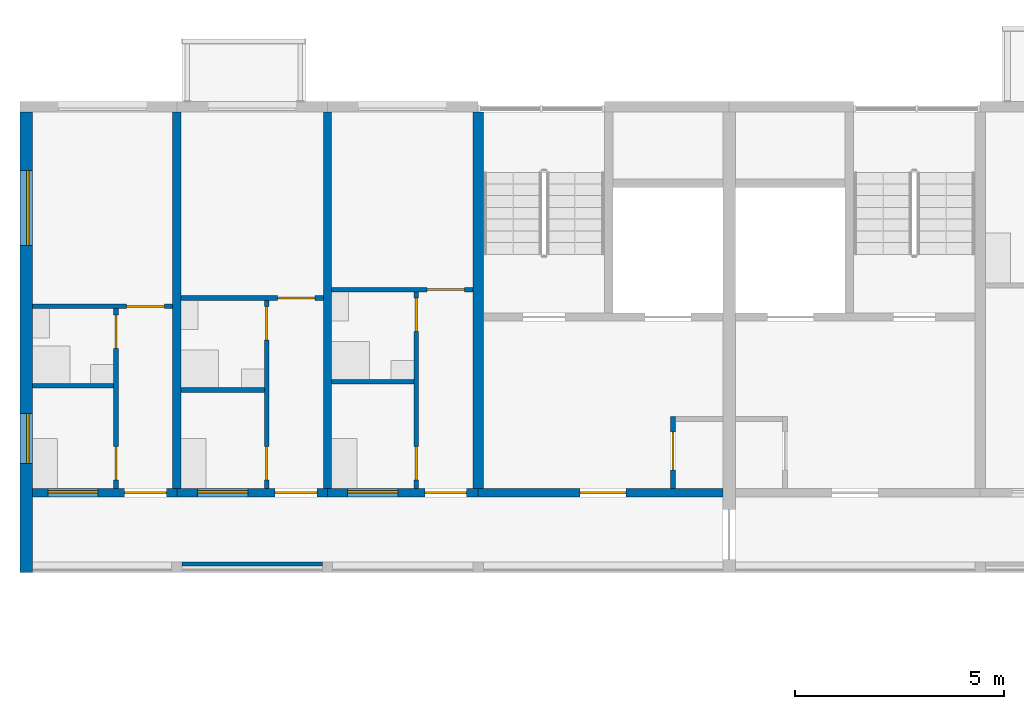
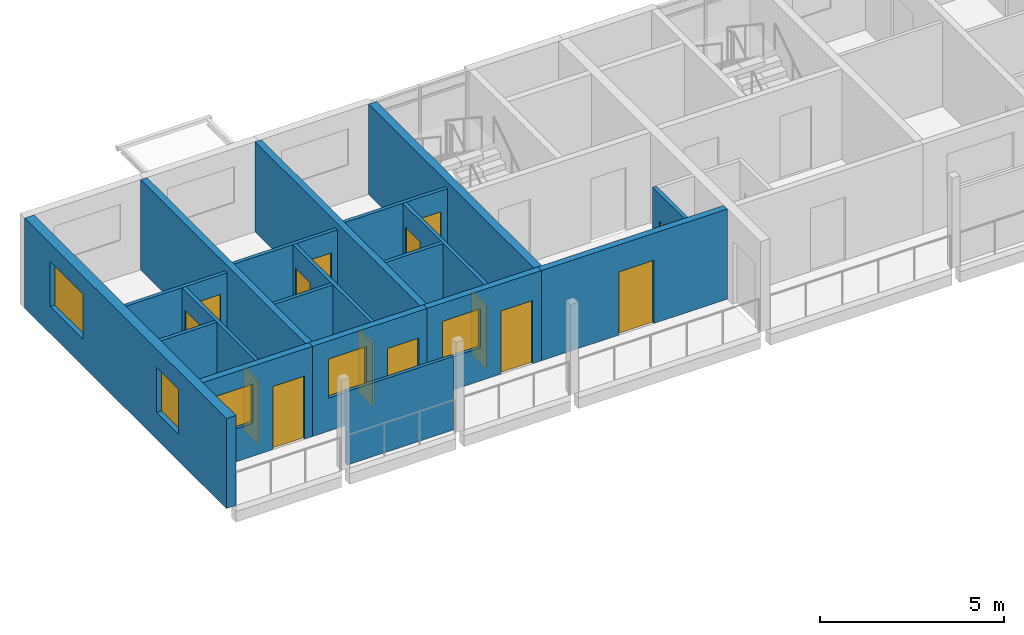
# One storey, part 33 of 99: 19 walls, 14 doors, 5 windows, 19 openings.
"""IFC4 building model written with IfcOpenShell, lengths in metres."""

import ifcopenshell
import ifcopenshell.guid

model = None  # the IFC model being written
_history = None  # IfcOwnerHistory: only IFC2X3 demands one
_inside = {}  # id of a spatial element -> (the spatial element, [elements in it])
_under = {}  # id of a project, library or spatial element -> (it, [spatial elements below it])
_declared = {}  # id of a project -> (the project, [libraries it declares])
_typed = {}  # id of a type object -> (the type object, [elements of that type])
_made_of = {}  # id of a material, layer set ... -> (it, [elements and type objects made of it])


def new_model(schema):
    """Start an empty IFC model of exactly this schema.

    Asked for "IFC4X3", IfcOpenShell would pick the latest addendum, in which some entities
    have other attributes; the version numbers below select the first issue.
    IFC2X3 requires an IfcOwnerHistory on every rooted entity: one is made here for all.
    """
    global model, _history
    if schema == "IFC4X3":
        model = ifcopenshell.file(schema_version=(4, 3, 0, 0))
    else:
        model = ifcopenshell.file(schema=schema)
    _inside.clear()
    _under.clear()
    _declared.clear()
    _typed.clear()
    _made_of.clear()
    _history = None
    if model.schema == "IFC2X3":
        org = make("IfcOrganization", Name="unknown")
        user = make(
            "IfcPersonAndOrganization",
            ThePerson=make("IfcPerson", FamilyName="unknown"),
            TheOrganization=org,
        )
        app = make(
            "IfcApplication",
            ApplicationDeveloper=org,
            Version="unknown",
            ApplicationFullName="unknown",
            ApplicationIdentifier="unknown",
        )
        _history = make(
            "IfcOwnerHistory",
            OwningUser=user,
            OwningApplication=app,
            ChangeAction="ADDED",
            CreationDate=0,
        )
    return model


def make(cls, **values):
    """One entity of the class cls with the attributes given. An attribute that is None is left unset."""
    return model.create_entity(
        cls, **{name: value for name, value in values.items() if value is not None}
    )


def rooted(cls, **values):
    """An entity with a GlobalId (a new one), such as an element, a storey or a relation."""
    return make(cls, GlobalId=ifcopenshell.guid.new(), OwnerHistory=_history, **values)


def si_unit(unit_type, name, prefix=None):
    """IfcSIUnit, for example si_unit("LENGTHUNIT", "METRE", prefix="MILLI")."""
    return make("IfcSIUnit", UnitType=unit_type, Prefix=prefix, Name=name)


def assignment(units):
    """IfcUnitAssignment: the units of a project."""
    return None if units is None else make("IfcUnitAssignment", Units=units)


def point(xyz):
    """IfcCartesianPoint."""
    return None if xyz is None else make("IfcCartesianPoint", Coordinates=xyz)


def direction(xyz):
    """IfcDirection."""
    return None if xyz is None else make("IfcDirection", DirectionRatios=xyz)


def frame(location, z_axis=None, x_axis=None):
    """IfcAxis2Placement3D, a coordinate frame: its origin and axes. An axis left out is left unset."""
    return make(
        "IfcAxis2Placement3D",
        Location=point(location),
        Axis=direction(z_axis),
        RefDirection=direction(x_axis),
    )


def frame_2d(location, x_axis=None):
    """IfcAxis2Placement2D, a coordinate frame in the plane: its origin and x axis."""
    return make(
        "IfcAxis2Placement2D", Location=point(location), RefDirection=direction(x_axis)
    )


def origin():
    """The frame at (0, 0, 0) with its axes left unset."""
    return frame((0.0, 0.0, 0.0))


def place(relative_to, where):
    """IfcLocalPlacement: puts the frame where relative to a parent placement (None: the world)."""
    return make(
        "IfcLocalPlacement", PlacementRelTo=relative_to, RelativePlacement=where
    )


def context(
    kind, dimensions, precision=None, world=None, true_north=None, identifier=None
):
    """IfcGeometricRepresentationContext, for example the 3D "Model" context."""
    return make(
        "IfcGeometricRepresentationContext",
        ContextIdentifier=identifier,
        ContextType=kind,
        CoordinateSpaceDimension=dimensions,
        Precision=precision,
        WorldCoordinateSystem=world,
        TrueNorth=true_north,
    )


def subcontext(parent, identifier, kind, view, scale=None):
    """IfcGeometricRepresentationSubContext, for example "Body" below "Model"."""
    return make(
        "IfcGeometricRepresentationSubContext",
        ContextIdentifier=identifier,
        ContextType=kind,
        ParentContext=parent,
        TargetScale=scale,
        TargetView=view,
    )


def project(units=None, contexts=None):
    """IfcProject with its units and contexts."""
    return rooted(
        "IfcProject",
        Name="project",
        RepresentationContexts=contexts,
        UnitsInContext=assignment(units),
    )


def spatial(cls, under=None, at=None, **own):
    """A site, building, storey or space (cls), placed at a placement, below another one or the project."""
    s = rooted(cls, ObjectPlacement=at, **own)
    if under is not None:
        _under.setdefault(under.id(), (under, []))[1].append(s)
    return s


def profile(cls, at=None, kind="AREA", **sizes):
    """A parametric profile (cls). Its sizes go by their IFC names, for example OverallWidth=200.0."""
    return make(cls, ProfileType=kind, Position=at, **sizes)


def rectangle(**sizes):
    """IfcRectangleProfileDef."""
    return profile("IfcRectangleProfileDef", **sizes)


def extrude(swept, where, along, depth):
    """IfcExtrudedAreaSolid: the profile swept, set in the frame where, extruded along a direction by depth."""
    return make(
        "IfcExtrudedAreaSolid",
        SweptArea=swept,
        Position=where,
        ExtrudedDirection=direction(along),
        Depth=depth,
    )


def shape(context_of_items, identifier, shape_type, items):
    """IfcShapeRepresentation: the items that make up one representation, for example the "Body"."""
    return make(
        "IfcShapeRepresentation",
        ContextOfItems=context_of_items,
        RepresentationIdentifier=identifier,
        RepresentationType=shape_type,
        Items=items,
    )


def material(Name=None, Category=None):
    """IfcMaterial."""
    return make("IfcMaterial", Name=Name, Category=Category)


def layer(
    of_material, thickness, ventilated=None, Name=None, Category=None, Priority=None
):
    """IfcMaterialLayer: one layer of a wall or slab, of a material (None: an air gap)."""
    return make(
        "IfcMaterialLayer",
        Material=of_material,
        LayerThickness=thickness,
        IsVentilated=ventilated,
        Name=Name,
        Category=Category,
        Priority=Priority,
    )


def layer_set(layers, Name=None):
    """IfcMaterialLayerSet."""
    return make("IfcMaterialLayerSet", MaterialLayers=layers, LayerSetName=Name)


def made_of(thing, what):
    """Note that an element or type object is made of a material, layer set ...; save() writes the relation."""
    if what is not None:
        _made_of.setdefault(what.id(), (what, []))[1].append(thing)
    return thing


def type_object(cls, material=None, **own):
    """A type object (cls), such as IfcWallType, which elements share."""
    return made_of(rooted(cls, **own), material)


def element(
    cls,
    number,
    at=None,
    inside=None,
    cuts=None,
    type_object=None,
    material=None,
    context=None,
    identifier="Body",
    shape_type=None,
    held_by="IfcProductDefinitionShape",
    body=None,
    shapes=None,
    **own,
):
    """One element of the class cls, such as IfcWall. Its Tag is "e" and its number.

    at: its placement. inside: the storey or other place that contains it. cuts: it is an
    opening in that element (IfcRelVoidsElement). A single representation is given by context,
    identifier, shape_type and body (its items); several are given by shapes. held_by: the class
    of the entity that holds the representations. save() writes the other relations.
    """
    e = rooted(cls, Tag="e%d" % number, ObjectPlacement=at, **own)
    if body is not None:
        shapes = [shape(context, identifier, shape_type, body)]
    if shapes is not None:
        e.Representation = make(held_by, Representations=shapes)
    if inside is not None:
        _inside.setdefault(inside.id(), (inside, []))[1].append(e)
    if cuts is not None:
        rooted(
            "IfcRelVoidsElement", RelatingBuildingElement=cuts, RelatedOpeningElement=e
        )
    if type_object is not None:
        _typed.setdefault(type_object.id(), (type_object, []))[1].append(e)
    return made_of(e, material)


def fill(opening, filler):
    """IfcRelFillsElement: the door or window that sits in an opening."""
    return rooted(
        "IfcRelFillsElement",
        RelatingOpeningElement=opening,
        RelatedBuildingElement=filler,
    )


def aggregate(whole, parts):
    """IfcRelAggregates: a whole, such as a stair, and the parts it consists of."""
    return rooted("IfcRelAggregates", RelatingObject=whole, RelatedObjects=parts)


def save(model, path):
    """Write the relations noted so far, then the file.

    IfcRelAggregates (storeys below a building ...), IfcRelContainedInSpatialStructure (elements
    in a storey), IfcRelDefinesByType, IfcRelAssociatesMaterial and IfcRelDeclares: one each for
    every whole, place, type object, material and project.
    """
    for whole, parts in _under.values():
        aggregate(whole, parts)
    for where, things in _inside.values():
        rooted(
            "IfcRelContainedInSpatialStructure",
            RelatedElements=things,
            RelatingStructure=where,
        )
    for kind, things in _typed.values():
        rooted("IfcRelDefinesByType", RelatedObjects=things, RelatingType=kind)
    for what, things in _made_of.values():
        rooted("IfcRelAssociatesMaterial", RelatedObjects=things, RelatingMaterial=what)
    for by, libraries in _declared.values():
        rooted("IfcRelDeclares", RelatingContext=by, RelatedDefinitions=libraries)
    model.write(path)


model = new_model("IFC4")

# Units and contexts
model_context = context("Model", 3, precision=1e-05, world=origin(), true_north=direction((0.0, 1.0)))
body_context = subcontext(model_context, "Body", "Model", "MODEL_VIEW")
ifc_project = project(units=[si_unit("LENGTHUNIT", "METRE"), si_unit("AREAUNIT", "SQUARE_METRE"), si_unit("VOLUMEUNIT", "CUBIC_METRE"), si_unit("PLANEANGLEUNIT", "RADIAN"), si_unit("MASSUNIT", "GRAM", prefix="KILO")], contexts=[model_context])

# Site, building, storey
site_placement = place(None, origin())
site = spatial("IfcSite", under=ifc_project, at=site_placement, CompositionType="ELEMENT")
building_placement = place(site_placement, origin())
building = spatial("IfcBuilding", under=site, at=building_placement, Name="Ridgestep Commons", CompositionType="ELEMENT")
storey_placement = place(building_placement, frame((0.0, 0.0, 15.0)))
storey = spatial("IfcBuildingStorey", under=building, at=storey_placement, Name="L05", CompositionType="ELEMENT", Elevation=15.0)

# Wall
ifc_material_1 = material(Name="Concrete C30/37", Category="concrete")
ifc_layer_1 = layer(ifc_material_1, 0.25)
ifc_layer_set_1 = layer_set([ifc_layer_1], Name="Core cross wall 250")
wall_type_1 = type_object("IfcWallType", Name="Core cross wall 250", PredefinedType="SHEAR", material=ifc_layer_set_1)
wall_1_placement = place(storey_placement, frame((22.800048828125, 68.0, 0.0), z_axis=(0.0, 0.0, 1.0), x_axis=(0.0, 1.0, 0.0)))
element("IfcWall", 1, at=wall_1_placement, inside=storey, type_object=wall_type_1, Name="Cross wall B-05-0228", PredefinedType="SHEAR", context=body_context, shape_type="SweptSolid", body=[
    extrude(rectangle(XDim=9.0, YDim=0.25, at=frame_2d((4.5, 0.0))), origin(), (0.0, 0.0, 1.0), 3.0),
])

# Wall, opening, door
ifc_material_2 = material(Name="Concrete C30/37", Category="concrete")
ifc_layer_2 = layer(ifc_material_2, 0.199951171875)
ifc_layer_set_2 = layer_set([ifc_layer_2], Name="Core south wall 200")
wall_type_2 = type_object("IfcWallType", Name="Core south wall 200", PredefinedType="SHEAR", material=ifc_layer_set_2)
wall_2_placement = place(storey_placement, frame((22.800048828125, 67.89990234375, 0.0), z_axis=(0.0, 0.0, 1.0), x_axis=(1.0, 0.0, 0.0)))
wall_2 = element("IfcWall", 2, at=wall_2_placement, inside=storey, type_object=wall_type_2, Name="Core south wall B1C L05", PredefinedType="SHEAR", context=body_context, shape_type="SweptSolid", body=[
    extrude(rectangle(XDim=5.849853515625, YDim=0.199951171875, at=frame_2d((2.9248046875, 0.0))), origin(), (0.0, 0.0, 1.0), 3.0),
])
opening_1_placement = place(wall_2_placement, frame((2.4375, 0.0, 0.0)))
opening_1 = element("IfcOpeningElement", 3, at=opening_1_placement, cuts=wall_2, Name="Opening B1C/05/1", PredefinedType="OPENING", context=body_context, shape_type="SweptSolid", body=[
    extrude(rectangle(XDim=1.10009765625, YDim=2.10009765625, at=frame_2d((0.550048828125, 1.050048828125))), frame((0.0, 0.10986328125, 0.0), z_axis=(0.0, -1.0, 0.0), x_axis=(1.0, 0.0, 0.0)), (0.0, 0.0, 1.0), 0.219970703125),
])
ifc_material_3 = material(Name="Steel fire door", Category="steel")
door_type_1 = type_object("IfcDoorType", Name="Lobby door 1100 x 2100 FD60", OperationType="NOTDEFINED", PredefinedType="DOOR", material=ifc_material_3)
door_1_placement = place(opening_1_placement, origin())
door_1 = element("IfcDoor", 4, at=door_1_placement, inside=storey, type_object=door_type_1, Name="Lobby door B1C/05/1", OperationType="SINGLE_SWING_LEFT", OverallHeight=2.10009765625, OverallWidth=1.10009765625, PredefinedType="DOOR", context=body_context, shape_type="SweptSolid", body=[
    extrude(rectangle(XDim=1.10009765625, YDim=2.10009765625, at=frame_2d((0.550048828125, 1.050048828125))), frame((0.0, 0.02490234375, 0.0), z_axis=(0.0, -1.0, 0.0), x_axis=(1.0, 0.0, 0.0)), (0.0, 0.0, 1.0), 0.050048828125),
])
fill(opening_1, door_1)

ifc_material_4 = material(Name="Concrete C30/37", Category="concrete")
ifc_layer_3 = layer(ifc_material_4, 0.1201171875)
ifc_layer_set_3 = layer_set([ifc_layer_3], Name="Core wall 120")
wall_type_3 = type_object("IfcWallType", Name="Core wall 120", PredefinedType="SHEAR", material=ifc_layer_set_3)
wall_3_placement = place(storey_placement, frame((27.4599609375, 68.0, 0.0), z_axis=(0.0, 0.0, 1.0), x_axis=(0.0, 1.0, 0.0)))
wall_3 = element("IfcWall", 5, at=wall_3_placement, inside=storey, type_object=wall_type_3, Name="Core riser w wall B1C L05", PredefinedType="SHEAR", context=body_context, shape_type="SweptSolid", body=[
    extrude(rectangle(XDim=1.719970703125, YDim=0.1201171875, at=frame_2d((0.85986328125, 0.0))), origin(), (0.0, 0.0, 1.0), 3.0),
])
opening_2_placement = place(wall_3_placement, frame((0.449951171875, 0.0, 0.0)))
opening_2 = element("IfcOpeningElement", 6, at=opening_2_placement, cuts=wall_3, Name="Opening B1C/05/4", PredefinedType="OPENING", context=body_context, shape_type="SweptSolid", body=[
    extrude(rectangle(XDim=0.89990234375, YDim=2.10009765625, at=frame_2d((0.449951171875, 1.050048828125))), frame((0.0, 0.070068359375, 0.0), z_axis=(0.0, -1.0, 0.0), x_axis=(1.0, 0.0, 0.0)), (0.0, 0.0, 1.0), 0.14013671875),
])
ifc_material_5 = material(Name="Steel fire door", Category="steel")
door_type_2 = type_object("IfcDoorType", Name="Riser door 900 x 2100 FD60", OperationType="NOTDEFINED", PredefinedType="DOOR", material=ifc_material_5)
door_2_placement = place(opening_2_placement, origin())
door_2 = element("IfcDoor", 7, at=door_2_placement, inside=storey, type_object=door_type_2, Name="Riser door B1C/05/4", OperationType="SINGLE_SWING_LEFT", OverallHeight=2.10009765625, OverallWidth=0.89990234375, PredefinedType="DOOR", context=body_context, shape_type="SweptSolid", body=[
    extrude(rectangle(XDim=0.89990234375, YDim=2.10009765625, at=frame_2d((0.449951171875, 1.050048828125))), frame((0.0, 0.02490234375, 0.0), z_axis=(0.0, -1.0, 0.0), x_axis=(1.0, 0.0, 0.0)), (0.0, 0.0, 1.0), 0.050048828125),
])
fill(opening_2, door_2)

# Walls
ifc_material_6 = material(Name="Precast concrete C40/50", Category="concrete")
ifc_layer_4 = layer(ifc_material_6, 0.199951171875)
ifc_layer_set_4 = layer_set([ifc_layer_4], Name="Cross wall 200")
wall_type_4 = type_object("IfcWallType", Name="Cross wall 200", PredefinedType="SHEAR", material=ifc_layer_set_4)
for number, where, z_axis, x_axis, name in (
    (8, (15.60009765625, 68.0, 0.0), (0.0, 0.0, 1.0), (0.0, 1.0, 0.0), "Cross wall B-05-0156"),
    (9, (19.199951171875, 68.0, 0.0), (0.0, 0.0, 1.0), (0.0, 1.0, 0.0), "Cross wall B-05-0192"),
):
    element("IfcWall", number, at=place(storey_placement, frame(where, z_axis=z_axis, x_axis=x_axis)), inside=storey, type_object=wall_type_4, Name=name, PredefinedType="SHEAR", context=body_context, shape_type="SweptSolid", body=[
        extrude(rectangle(XDim=9.0, YDim=0.199951171875, at=frame_2d((4.5, 0.0))), origin(), (0.0, 0.0, 1.0), 3.0),
    ])

# Wall, openings, windows
ifc_material_7 = material(Name="Precast concrete C40/50", Category="concrete")
ifc_layer_5 = layer(ifc_material_7, 0.300048828125)
ifc_layer_set_5 = layer_set([ifc_layer_5], Name="Exposed division wall 300")
wall_type_5 = type_object("IfcWallType", Name="Exposed division wall 300", PredefinedType="SHEAR", material=ifc_layer_set_5)
wall_4_placement = place(storey_placement, frame((12.0, 66.0, 0.0), z_axis=(0.0, 0.0, 1.0), x_axis=(0.0, 1.0, 0.0)))
wall_4 = element("IfcWall", 10, at=wall_4_placement, inside=storey, type_object=wall_type_5, Name="Cross wall B-05-0120", PredefinedType="SHEAR", context=body_context, shape_type="SweptSolid", body=[
    extrude(rectangle(XDim=11.0, YDim=0.300048828125, at=frame_2d((5.5, 0.0))), origin(), (0.0, 0.0, 1.0), 3.0),
])
opening_3_placement = place(wall_4_placement, frame((2.60009765625, 0.0, 0.89990234375)))
opening_3 = element("IfcOpeningElement", 11, at=opening_3_placement, cuts=wall_4, Name="Opening W10", PredefinedType="OPENING", context=body_context, shape_type="SweptSolid", body=[
    extrude(rectangle(XDim=1.199951171875, YDim=1.5, at=frame_2d((0.60009765625, 0.75))), frame((0.0, 0.159912109375, 0.0), z_axis=(0.0, -1.0, 0.0), x_axis=(1.0, 0.0, 0.0)), (0.0, 0.0, 1.0), 0.320068359375),
])
opening_4_placement = place(wall_4_placement, frame((7.804931640625, 0.0, 0.89990234375)))
opening_4 = element("IfcOpeningElement", 12, at=opening_4_placement, cuts=wall_4, Name="Opening W20", PredefinedType="OPENING", context=body_context, shape_type="SweptSolid", body=[
    extrude(rectangle(XDim=1.800048828125, YDim=1.5, at=frame_2d((0.89990234375, 0.75))), frame((0.0, 0.159912109375, 0.0), z_axis=(0.0, -1.0, 0.0), x_axis=(1.0, 0.0, 0.0)), (0.0, 0.0, 1.0), 0.320068359375),
])
ifc_material_8 = material(Name="Aluminium 6063-T6 and glass", Category="aluminium")
window_type_1 = type_object("IfcWindowType", Name="Flat window 1200 x 1500", PartitioningType="SINGLE_PANEL", PredefinedType="WINDOW", material=ifc_material_8)
window_1_placement = place(opening_3_placement, origin())
window_1 = element("IfcWindow", 13, at=window_1_placement, inside=storey, type_object=window_type_1, Name="Window B1-05a 3", OverallHeight=1.5, OverallWidth=1.199951171875, PartitioningType="SINGLE_PANEL", PredefinedType="WINDOW", context=body_context, shape_type="SweptSolid", body=[
    extrude(rectangle(XDim=1.199951171875, YDim=1.5, at=frame_2d((0.60009765625, 0.75))), frame((0.0, 0.0, 0.0), z_axis=(0.0, -1.0, 0.0), x_axis=(1.0, 0.0, 0.0)), (0.0, 0.0, 1.0), 0.06005859375),
])
fill(opening_3, window_1)
ifc_material_9 = material(Name="Aluminium 6063-T6 and glass", Category="aluminium")
window_type_2 = type_object("IfcWindowType", Name="Flat window 1800 x 1500", PartitioningType="DOUBLE_PANEL_VERTICAL", PredefinedType="WINDOW", material=ifc_material_9)
window_2_placement = place(opening_4_placement, origin())
window_2 = element("IfcWindow", 14, at=window_2_placement, inside=storey, type_object=window_type_2, Name="Window B1-05a 4", OverallHeight=1.5, OverallWidth=1.800048828125, PartitioningType="SINGLE_PANEL", PredefinedType="WINDOW", context=body_context, shape_type="SweptSolid", body=[
    extrude(rectangle(XDim=1.800048828125, YDim=1.5, at=frame_2d((0.89990234375, 0.75))), frame((0.0, 0.0, 0.0), z_axis=(0.0, -1.0, 0.0), x_axis=(1.0, 0.0, 0.0)), (0.0, 0.0, 1.0), 0.06005859375),
])
fill(opening_4, window_2)

# Wall
ifc_material_10 = material(Name="Common brick 110 mm", Category="masonry")
ifc_layer_6 = layer(ifc_material_10, 0.110107421875)
ifc_layer_set_6 = layer_set([ifc_layer_6], Name="Partition 110")
wall_type_6 = type_object("IfcWallType", Name="Partition 110", PredefinedType="PARTITIONING", material=ifc_layer_set_6)
wall_5_placement = place(storey_placement, frame((12.14990234375, 70.455078125, 0.0), z_axis=(0.0, 0.0, 1.0), x_axis=(1.0, 0.0, 0.0)))
element("IfcWall", 15, at=wall_5_placement, inside=storey, type_object=wall_type_6, Name="Partition B1-05a", PredefinedType="PARTITIONING", context=body_context, shape_type="SweptSolid", body=[
    extrude(rectangle(XDim=1.940185546875, YDim=0.110107421875, at=frame_2d((0.97021484375, 0.0))), origin(), (0.0, 0.0, 1.0), 2.75),
])

# Wall, openings, doors
wall_6_placement = place(storey_placement, frame((14.14501953125, 68.0, 0.0), z_axis=(0.0, 0.0, 1.0), x_axis=(0.0, 1.0, 0.0)))
wall_6 = element("IfcWall", 16, at=wall_6_placement, inside=storey, type_object=wall_type_6, Name="Partition B1-05a", PredefinedType="PARTITIONING", context=body_context, shape_type="SweptSolid", body=[
    extrude(rectangle(XDim=4.300048828125, YDim=0.110107421875, at=frame_2d((2.14990234375, 0.0))), origin(), (0.0, 0.0, 1.0), 2.75),
])
opening_5_placement = place(wall_6_placement, frame((0.199951171875, 0.0, 0.0)))
opening_5 = element("IfcOpeningElement", 17, at=opening_5_placement, cuts=wall_6, Name="Opening B1-05a/2", PredefinedType="OPENING", context=body_context, shape_type="SweptSolid", body=[
    extrude(rectangle(XDim=0.800048828125, YDim=2.10009765625, at=frame_2d((0.39990234375, 1.050048828125))), frame((0.0, 0.06494140625, 0.0), z_axis=(0.0, -1.0, 0.0), x_axis=(1.0, 0.0, 0.0)), (0.0, 0.0, 1.0), 0.130126953125),
])
opening_6_placement = place(wall_6_placement, frame((3.35009765625, 0.0, 0.0)))
opening_6 = element("IfcOpeningElement", 18, at=opening_6_placement, cuts=wall_6, Name="Opening B1-05a/3", PredefinedType="OPENING", context=body_context, shape_type="SweptSolid", body=[
    extrude(rectangle(XDim=0.800048828125, YDim=2.10009765625, at=frame_2d((0.39990234375, 1.050048828125))), frame((0.0, 0.06494140625, 0.0), z_axis=(0.0, -1.0, 0.0), x_axis=(1.0, 0.0, 0.0)), (0.0, 0.0, 1.0), 0.130126953125),
])
ifc_material_11 = material(Name="Timber door leaf", Category="wood")
door_type_3 = type_object("IfcDoorType", Name="Internal door 800 x 2100", OperationType="NOTDEFINED", PredefinedType="DOOR", material=ifc_material_11)
door_3_placement = place(opening_5_placement, origin())
door_3 = element("IfcDoor", 19, at=door_3_placement, inside=storey, type_object=door_type_3, Name="Internal door B1-05a/2", OperationType="SINGLE_SWING_LEFT", OverallHeight=2.10009765625, OverallWidth=0.800048828125, PredefinedType="DOOR", context=body_context, shape_type="SweptSolid", body=[
    extrude(rectangle(XDim=0.800048828125, YDim=2.10009765625, at=frame_2d((0.39990234375, 1.050048828125))), frame((0.0, 0.02490234375, 0.0), z_axis=(0.0, -1.0, 0.0), x_axis=(1.0, 0.0, 0.0)), (0.0, 0.0, 1.0), 0.050048828125),
])
fill(opening_5, door_3)
door_4_placement = place(opening_6_placement, origin())
door_4 = element("IfcDoor", 20, at=door_4_placement, inside=storey, type_object=door_type_3, Name="Internal door B1-05a/3", OperationType="SINGLE_SWING_RIGHT", OverallHeight=2.10009765625, OverallWidth=0.800048828125, PredefinedType="DOOR", context=body_context, shape_type="SweptSolid", body=[
    extrude(rectangle(XDim=0.800048828125, YDim=2.10009765625, at=frame_2d((0.39990234375, 1.050048828125))), frame((0.0, 0.02490234375, 0.0), z_axis=(0.0, -1.0, 0.0), x_axis=(1.0, 0.0, 0.0)), (0.0, 0.0, 1.0), 0.050048828125),
])
fill(opening_6, door_4)

# Wall, opening, door
wall_7_placement = place(storey_placement, frame((12.14990234375, 72.35498046875, 0.0), z_axis=(0.0, 0.0, 1.0), x_axis=(1.0, 0.0, 0.0)))
wall_7 = element("IfcWall", 21, at=wall_7_placement, inside=storey, type_object=wall_type_6, Name="Partition B1-05a", PredefinedType="PARTITIONING", context=body_context, shape_type="SweptSolid", body=[
    extrude(rectangle(XDim=3.35009765625, YDim=0.110107421875, at=frame_2d((1.675048828125, 0.0))), origin(), (0.0, 0.0, 1.0), 2.75),
])
opening_7_placement = place(wall_7_placement, frame((2.25, 0.0, 0.0)))
opening_7 = element("IfcOpeningElement", 22, at=opening_7_placement, cuts=wall_7, Name="Opening B1-05a/4", PredefinedType="OPENING", context=body_context, shape_type="SweptSolid", body=[
    extrude(rectangle(XDim=0.89990234375, YDim=2.10009765625, at=frame_2d((0.449951171875, 1.050048828125))), frame((0.0, 0.06494140625, 0.0), z_axis=(0.0, -1.0, 0.0), x_axis=(1.0, 0.0, 0.0)), (0.0, 0.0, 1.0), 0.130126953125),
])
ifc_material_12 = material(Name="Timber door leaf", Category="wood")
door_type_4 = type_object("IfcDoorType", Name="Internal door 900 x 2100", OperationType="NOTDEFINED", PredefinedType="DOOR", material=ifc_material_12)
door_5_placement = place(opening_7_placement, origin())
door_5 = element("IfcDoor", 23, at=door_5_placement, inside=storey, type_object=door_type_4, Name="Internal door B1-05a/4", OperationType="SINGLE_SWING_LEFT", OverallHeight=2.10009765625, OverallWidth=0.89990234375, PredefinedType="DOOR", context=body_context, shape_type="SweptSolid", body=[
    extrude(rectangle(XDim=0.89990234375, YDim=2.10009765625, at=frame_2d((0.449951171875, 1.050048828125))), frame((0.0, 0.02490234375, 0.0), z_axis=(0.0, -1.0, 0.0), x_axis=(1.0, 0.0, 0.0)), (0.0, 0.0, 1.0), 0.050048828125),
])
fill(opening_7, door_5)

# Wall
wall_8_placement = place(storey_placement, frame((15.699951171875, 70.35498046875, 0.0), z_axis=(0.0, 0.0, 1.0), x_axis=(1.0, 0.0, 0.0)))
element("IfcWall", 24, at=wall_8_placement, inside=storey, type_object=wall_type_6, Name="Partition B1-05b", PredefinedType="PARTITIONING", context=body_context, shape_type="SweptSolid", body=[
    extrude(rectangle(XDim=1.989990234375, YDim=0.110107421875, at=frame_2d((0.9951171875, 0.0))), origin(), (0.0, 0.0, 1.0), 2.800048828125),
])

# Wall, openings, doors
wall_9_placement = place(storey_placement, frame((17.7451171875, 68.0, 0.0), z_axis=(0.0, 0.0, 1.0), x_axis=(0.0, 1.0, 0.0)))
wall_9 = element("IfcWall", 25, at=wall_9_placement, inside=storey, type_object=wall_type_6, Name="Partition B1-05b", PredefinedType="PARTITIONING", context=body_context, shape_type="SweptSolid", body=[
    extrude(rectangle(XDim=4.5, YDim=0.110107421875, at=frame_2d((2.25, 0.0))), origin(), (0.0, 0.0, 1.0), 2.800048828125),
])
opening_8_placement = place(wall_9_placement, frame((0.199951171875, 0.0, 0.0)))
opening_8 = element("IfcOpeningElement", 26, at=opening_8_placement, cuts=wall_9, Name="Opening B1-05b/2", PredefinedType="OPENING", context=body_context, shape_type="SweptSolid", body=[
    extrude(rectangle(XDim=0.800048828125, YDim=2.10009765625, at=frame_2d((0.39990234375, 1.050048828125))), frame((0.0, 0.06494140625, 0.0), z_axis=(0.0, -1.0, 0.0), x_axis=(1.0, 0.0, 0.0)), (0.0, 0.0, 1.0), 0.130126953125),
])
opening_9_placement = place(wall_9_placement, frame((3.550048828125, 0.0, 0.0)))
opening_9 = element("IfcOpeningElement", 27, at=opening_9_placement, cuts=wall_9, Name="Opening B1-05b/3", PredefinedType="OPENING", context=body_context, shape_type="SweptSolid", body=[
    extrude(rectangle(XDim=0.800048828125, YDim=2.10009765625, at=frame_2d((0.39990234375, 1.050048828125))), frame((0.0, 0.06494140625, 0.0), z_axis=(0.0, -1.0, 0.0), x_axis=(1.0, 0.0, 0.0)), (0.0, 0.0, 1.0), 0.130126953125),
])
door_6_placement = place(opening_8_placement, origin())
door_6 = element("IfcDoor", 28, at=door_6_placement, inside=storey, type_object=door_type_3, Name="Internal door B1-05b/2", OperationType="SINGLE_SWING_LEFT", OverallHeight=2.10009765625, OverallWidth=0.800048828125, PredefinedType="DOOR", context=body_context, shape_type="SweptSolid", body=[
    extrude(rectangle(XDim=0.800048828125, YDim=2.10009765625, at=frame_2d((0.39990234375, 1.050048828125))), frame((0.0, 0.02490234375, 0.0), z_axis=(0.0, -1.0, 0.0), x_axis=(1.0, 0.0, 0.0)), (0.0, 0.0, 1.0), 0.050048828125),
])
fill(opening_8, door_6)
door_7_placement = place(opening_9_placement, origin())
door_7 = element("IfcDoor", 29, at=door_7_placement, inside=storey, type_object=door_type_3, Name="Internal door B1-05b/3", OperationType="SINGLE_SWING_RIGHT", OverallHeight=2.10009765625, OverallWidth=0.800048828125, PredefinedType="DOOR", context=body_context, shape_type="SweptSolid", body=[
    extrude(rectangle(XDim=0.800048828125, YDim=2.10009765625, at=frame_2d((0.39990234375, 1.050048828125))), frame((0.0, 0.02490234375, 0.0), z_axis=(0.0, -1.0, 0.0), x_axis=(1.0, 0.0, 0.0)), (0.0, 0.0, 1.0), 0.050048828125),
])
fill(opening_9, door_7)

# Wall, opening, door
wall_10_placement = place(storey_placement, frame((15.699951171875, 72.554931640625, 0.0), z_axis=(0.0, 0.0, 1.0), x_axis=(1.0, 0.0, 0.0)))
wall_10 = element("IfcWall", 30, at=wall_10_placement, inside=storey, type_object=wall_type_6, Name="Partition B1-05b", PredefinedType="PARTITIONING", context=body_context, shape_type="SweptSolid", body=[
    extrude(rectangle(XDim=3.400146484375, YDim=0.110107421875, at=frame_2d((1.7001953125, 0.0))), origin(), (0.0, 0.0, 1.0), 2.800048828125),
])
opening_10_placement = place(wall_10_placement, frame((2.300048828125, 0.0, 0.0)))
opening_10 = element("IfcOpeningElement", 31, at=opening_10_placement, cuts=wall_10, Name="Opening B1-05b/4", PredefinedType="OPENING", context=body_context, shape_type="SweptSolid", body=[
    extrude(rectangle(XDim=0.89990234375, YDim=2.10009765625, at=frame_2d((0.449951171875, 1.050048828125))), frame((0.0, 0.06494140625, 0.0), z_axis=(0.0, -1.0, 0.0), x_axis=(1.0, 0.0, 0.0)), (0.0, 0.0, 1.0), 0.130126953125),
])
door_8_placement = place(opening_10_placement, origin())
door_8 = element("IfcDoor", 32, at=door_8_placement, inside=storey, type_object=door_type_4, Name="Internal door B1-05b/4", OperationType="SINGLE_SWING_LEFT", OverallHeight=2.10009765625, OverallWidth=0.89990234375, PredefinedType="DOOR", context=body_context, shape_type="SweptSolid", body=[
    extrude(rectangle(XDim=0.89990234375, YDim=2.10009765625, at=frame_2d((0.449951171875, 1.050048828125))), frame((0.0, 0.02490234375, 0.0), z_axis=(0.0, -1.0, 0.0), x_axis=(1.0, 0.0, 0.0)), (0.0, 0.0, 1.0), 0.050048828125),
])
fill(opening_10, door_8)

# Wall
wall_11_placement = place(storey_placement, frame((19.300048828125, 70.554931640625, 0.0), z_axis=(0.0, 0.0, 1.0), x_axis=(1.0, 0.0, 0.0)))
element("IfcWall", 33, at=wall_11_placement, inside=storey, type_object=wall_type_6, Name="Partition B1-05c", PredefinedType="PARTITIONING", context=body_context, shape_type="SweptSolid", body=[
    extrude(rectangle(XDim=1.96484375, YDim=0.110107421875, at=frame_2d((0.982421875, 0.0))), origin(), (0.0, 0.0, 1.0), 2.800048828125),
])

# Wall, openings, doors
wall_12_placement = place(storey_placement, frame((21.320068359375, 68.0, 0.0), z_axis=(0.0, 0.0, 1.0), x_axis=(0.0, 1.0, 0.0)))
wall_12 = element("IfcWall", 34, at=wall_12_placement, inside=storey, type_object=wall_type_6, Name="Partition B1-05c", PredefinedType="PARTITIONING", context=body_context, shape_type="SweptSolid", body=[
    extrude(rectangle(XDim=4.699951171875, YDim=0.110107421875, at=frame_2d((2.35009765625, 0.0))), origin(), (0.0, 0.0, 1.0), 2.800048828125),
])
opening_11_placement = place(wall_12_placement, frame((0.199951171875, 0.0, 0.0)))
opening_11 = element("IfcOpeningElement", 35, at=opening_11_placement, cuts=wall_12, Name="Opening B1-05c/2", PredefinedType="OPENING", context=body_context, shape_type="SweptSolid", body=[
    extrude(rectangle(XDim=0.800048828125, YDim=2.10009765625, at=frame_2d((0.39990234375, 1.050048828125))), frame((0.0, 0.06494140625, 0.0), z_axis=(0.0, -1.0, 0.0), x_axis=(1.0, 0.0, 0.0)), (0.0, 0.0, 1.0), 0.130126953125),
])
opening_12_placement = place(wall_12_placement, frame((3.75, 0.0, 0.0)))
opening_12 = element("IfcOpeningElement", 36, at=opening_12_placement, cuts=wall_12, Name="Opening B1-05c/3", PredefinedType="OPENING", context=body_context, shape_type="SweptSolid", body=[
    extrude(rectangle(XDim=0.800048828125, YDim=2.10009765625, at=frame_2d((0.39990234375, 1.050048828125))), frame((0.0, 0.06494140625, 0.0), z_axis=(0.0, -1.0, 0.0), x_axis=(1.0, 0.0, 0.0)), (0.0, 0.0, 1.0), 0.130126953125),
])
door_9_placement = place(opening_11_placement, origin())
door_9 = element("IfcDoor", 37, at=door_9_placement, inside=storey, type_object=door_type_3, Name="Internal door B1-05c/2", OperationType="SINGLE_SWING_LEFT", OverallHeight=2.10009765625, OverallWidth=0.800048828125, PredefinedType="DOOR", context=body_context, shape_type="SweptSolid", body=[
    extrude(rectangle(XDim=0.800048828125, YDim=2.10009765625, at=frame_2d((0.39990234375, 1.050048828125))), frame((0.0, 0.02490234375, 0.0), z_axis=(0.0, -1.0, 0.0), x_axis=(1.0, 0.0, 0.0)), (0.0, 0.0, 1.0), 0.050048828125),
])
fill(opening_11, door_9)
door_10_placement = place(opening_12_placement, origin())
door_10 = element("IfcDoor", 38, at=door_10_placement, inside=storey, type_object=door_type_3, Name="Internal door B1-05c/3", OperationType="SINGLE_SWING_RIGHT", OverallHeight=2.10009765625, OverallWidth=0.800048828125, PredefinedType="DOOR", context=body_context, shape_type="SweptSolid", body=[
    extrude(rectangle(XDim=0.800048828125, YDim=2.10009765625, at=frame_2d((0.39990234375, 1.050048828125))), frame((0.0, 0.02490234375, 0.0), z_axis=(0.0, -1.0, 0.0), x_axis=(1.0, 0.0, 0.0)), (0.0, 0.0, 1.0), 0.050048828125),
])
fill(opening_12, door_10)

# Wall, opening, door
wall_13_placement = place(storey_placement, frame((19.300048828125, 72.7548828125, 0.0), z_axis=(0.0, 0.0, 1.0), x_axis=(1.0, 0.0, 0.0)))
wall_13 = element("IfcWall", 39, at=wall_13_placement, inside=storey, type_object=wall_type_6, Name="Partition B1-05c", PredefinedType="PARTITIONING", context=body_context, shape_type="SweptSolid", body=[
    extrude(rectangle(XDim=3.375, YDim=0.110107421875, at=frame_2d((1.6875, 0.0))), origin(), (0.0, 0.0, 1.0), 2.800048828125),
])
opening_13_placement = place(wall_13_placement, frame((2.27490234375, 0.0, 0.0)))
opening_13 = element("IfcOpeningElement", 40, at=opening_13_placement, cuts=wall_13, Name="Opening B1-05c/4", PredefinedType="OPENING", context=body_context, shape_type="SweptSolid", body=[
    extrude(rectangle(XDim=0.89990234375, YDim=2.10009765625, at=frame_2d((0.449951171875, 1.050048828125))), frame((0.0, 0.06494140625, 0.0), z_axis=(0.0, -1.0, 0.0), x_axis=(1.0, 0.0, 0.0)), (0.0, 0.0, 1.0), 0.130126953125),
])
door_11_placement = place(opening_13_placement, origin())
door_11 = element("IfcDoor", 41, at=door_11_placement, inside=storey, type_object=door_type_4, Name="Internal door B1-05c/4", OperationType="SINGLE_SWING_LEFT", OverallHeight=2.10009765625, OverallWidth=0.89990234375, PredefinedType="DOOR", context=body_context, shape_type="SweptSolid", body=[
    extrude(rectangle(XDim=0.89990234375, YDim=2.10009765625, at=frame_2d((0.449951171875, 1.050048828125))), frame((0.0, 0.02490234375, 0.0), z_axis=(0.0, -1.0, 0.0), x_axis=(1.0, 0.0, 0.0)), (0.0, 0.0, 1.0), 0.050048828125),
])
fill(opening_13, door_11)

# Wall
ifc_material_13 = material(Name="Precast concrete C30/37", Category="concrete")
ifc_layer_7 = layer(ifc_material_13, 0.10009765625)
ifc_layer_set_7 = layer_set([ifc_layer_7], Name="Perforated gallery screen 3350 x 2450 x 100")
wall_type_7 = type_object("IfcWallType", Name="Perforated gallery screen 3350 x 2450 x 100", PredefinedType="SOLIDWALL", material=ifc_layer_set_7)
wall_14_placement = place(storey_placement, frame((15.72509765625, 66.199951171875, 0.0), z_axis=(0.0, 0.0, 1.0), x_axis=(1.0, 0.0, 0.0)))
element("IfcWall", 42, at=wall_14_placement, inside=storey, type_object=wall_type_7, Name="Gallery screen B1T2 05", PredefinedType="SOLIDWALL", context=body_context, shape_type="SweptSolid", body=[
    extrude(rectangle(XDim=3.349853515625, YDim=0.10009765625, at=frame_2d((1.6748046875, 0.0))), origin(), (0.0, 0.0, 1.0), 2.449951171875),
])

# Wall, openings, door, window
ifc_material_14 = material(Name="Precast concrete C40/50", Category="concrete")
ifc_layer_8 = layer(ifc_material_14, 0.199951171875)
ifc_layer_set_8 = layer_set([ifc_layer_8], Name="South facade panel 200")
wall_type_8 = type_object("IfcWallType", Name="South facade panel 200", PredefinedType="SOLIDWALL", material=ifc_layer_set_8)
wall_15_placement = place(storey_placement, frame((12.14990234375, 67.89990234375, 0.0), z_axis=(0.0, 0.0, 1.0), x_axis=(1.0, 0.0, 0.0)))
wall_15 = element("IfcWall", 43, at=wall_15_placement, inside=storey, type_object=wall_type_8, Name="South panel B1T1 L05", PredefinedType="SOLIDWALL", context=body_context, shape_type="SweptSolid", body=[
    extrude(rectangle(XDim=3.4501953125, YDim=0.199951171875, at=frame_2d((1.72509765625, 0.0))), origin(), (0.0, 0.0, 1.0), 3.0),
])
opening_14_placement = place(wall_15_placement, frame((0.3701171875, 0.0, 1.10009765625)))
opening_14 = element("IfcOpeningElement", 44, at=opening_14_placement, cuts=wall_15, Name="Opening W08", PredefinedType="OPENING", context=body_context, shape_type="SweptSolid", body=[
    extrude(rectangle(XDim=1.199951171875, YDim=1.300048828125, at=frame_2d((0.60009765625, 0.64990234375))), frame((0.0, 0.10986328125, 0.0), z_axis=(0.0, -1.0, 0.0), x_axis=(1.0, 0.0, 0.0)), (0.0, 0.0, 1.0), 0.219970703125),
])
opening_15_placement = place(wall_15_placement, frame((2.199951171875, 0.0, 0.0)))
opening_15 = element("IfcOpeningElement", 45, at=opening_15_placement, cuts=wall_15, Name="Opening B1-05a/1", PredefinedType="OPENING", context=body_context, shape_type="SweptSolid", body=[
    extrude(rectangle(XDim=1.0, YDim=2.10009765625, at=frame_2d((0.5, 1.050048828125))), frame((0.0, 0.10986328125, 0.0), z_axis=(0.0, -1.0, 0.0), x_axis=(1.0, 0.0, 0.0)), (0.0, 0.0, 1.0), 0.219970703125),
])
ifc_material_15 = material(Name="Timber door leaf", Category="wood")
door_type_5 = type_object("IfcDoorType", Name="Flat entrance door 1000 x 2100 FD30S", OperationType="NOTDEFINED", PredefinedType="DOOR", material=ifc_material_15)
door_12_placement = place(opening_15_placement, origin())
door_12 = element("IfcDoor", 46, at=door_12_placement, inside=storey, type_object=door_type_5, Name="Flat entrance door B1-05a/1", OperationType="SINGLE_SWING_RIGHT", OverallHeight=2.10009765625, OverallWidth=1.0, PredefinedType="DOOR", context=body_context, shape_type="SweptSolid", body=[
    extrude(rectangle(XDim=1.0, YDim=2.10009765625, at=frame_2d((0.5, 1.050048828125))), frame((0.0, 0.02490234375, 0.0), z_axis=(0.0, -1.0, 0.0), x_axis=(1.0, 0.0, 0.0)), (0.0, 0.0, 1.0), 0.050048828125),
])
fill(opening_15, door_12)
ifc_material_16 = material(Name="Aluminium 6063-T6 and glass", Category="aluminium")
window_type_3 = type_object("IfcWindowType", Name="Flat window 1200 x 1300", PartitioningType="SINGLE_PANEL", PredefinedType="WINDOW", material=ifc_material_16)
window_3_placement = place(opening_14_placement, origin())
window_3 = element("IfcWindow", 47, at=window_3_placement, inside=storey, type_object=window_type_3, Name="Window B1-05a 1", OverallHeight=1.300048828125, OverallWidth=1.199951171875, PartitioningType="SINGLE_PANEL", PredefinedType="WINDOW", context=body_context, shape_type="SweptSolid", body=[
    extrude(rectangle(XDim=1.199951171875, YDim=1.300048828125, at=frame_2d((0.60009765625, 0.64990234375))), frame((0.0, 0.06005859375, 0.0), z_axis=(0.0, -1.0, 0.0), x_axis=(1.0, 0.0, 0.0)), (0.0, 0.0, 1.0), 0.06005859375),
])
fill(opening_14, window_3)

wall_16_placement = place(storey_placement, frame((15.60009765625, 67.89990234375, 0.0), z_axis=(0.0, 0.0, 1.0), x_axis=(1.0, 0.0, 0.0)))
wall_16 = element("IfcWall", 48, at=wall_16_placement, inside=storey, type_object=wall_type_8, Name="South panel B1T2 L05", PredefinedType="SOLIDWALL", context=body_context, shape_type="SweptSolid", body=[
    extrude(rectangle(XDim=3.599853515625, YDim=0.199951171875, at=frame_2d((1.7998046875, 0.0))), origin(), (0.0, 0.0, 1.0), 3.0),
])
opening_16_placement = place(wall_16_placement, frame((0.4951171875, 0.0, 1.10009765625)))
opening_16 = element("IfcOpeningElement", 49, at=opening_16_placement, cuts=wall_16, Name="Opening W08", PredefinedType="OPENING", context=body_context, shape_type="SweptSolid", body=[
    extrude(rectangle(XDim=1.199951171875, YDim=1.300048828125, at=frame_2d((0.60009765625, 0.64990234375))), frame((0.0, 0.10986328125, 0.0), z_axis=(0.0, -1.0, 0.0), x_axis=(1.0, 0.0, 0.0)), (0.0, 0.0, 1.0), 0.219970703125),
])
opening_17_placement = place(wall_16_placement, frame((2.35009765625, 0.0, 0.0)))
opening_17 = element("IfcOpeningElement", 50, at=opening_17_placement, cuts=wall_16, Name="Opening B1-05b/1", PredefinedType="OPENING", context=body_context, shape_type="SweptSolid", body=[
    extrude(rectangle(XDim=1.0, YDim=2.10009765625, at=frame_2d((0.5, 1.050048828125))), frame((0.0, 0.10986328125, 0.0), z_axis=(0.0, -1.0, 0.0), x_axis=(1.0, 0.0, 0.0)), (0.0, 0.0, 1.0), 0.219970703125),
])
door_13_placement = place(opening_17_placement, origin())
door_13 = element("IfcDoor", 51, at=door_13_placement, inside=storey, type_object=door_type_5, Name="Flat entrance door B1-05b/1", OperationType="SINGLE_SWING_RIGHT", OverallHeight=2.10009765625, OverallWidth=1.0, PredefinedType="DOOR", context=body_context, shape_type="SweptSolid", body=[
    extrude(rectangle(XDim=1.0, YDim=2.10009765625, at=frame_2d((0.5, 1.050048828125))), frame((0.0, 0.02490234375, 0.0), z_axis=(0.0, -1.0, 0.0), x_axis=(1.0, 0.0, 0.0)), (0.0, 0.0, 1.0), 0.050048828125),
])
fill(opening_17, door_13)
window_4_placement = place(opening_16_placement, origin())
window_4 = element("IfcWindow", 52, at=window_4_placement, inside=storey, type_object=window_type_3, Name="Window B1-05b 1", OverallHeight=1.300048828125, OverallWidth=1.199951171875, PartitioningType="SINGLE_PANEL", PredefinedType="WINDOW", context=body_context, shape_type="SweptSolid", body=[
    extrude(rectangle(XDim=1.199951171875, YDim=1.300048828125, at=frame_2d((0.60009765625, 0.64990234375))), frame((0.0, 0.06005859375, 0.0), z_axis=(0.0, -1.0, 0.0), x_axis=(1.0, 0.0, 0.0)), (0.0, 0.0, 1.0), 0.06005859375),
])
fill(opening_16, window_4)

wall_17_placement = place(storey_placement, frame((19.199951171875, 67.89990234375, 0.0), z_axis=(0.0, 0.0, 1.0), x_axis=(1.0, 0.0, 0.0)))
wall_17 = element("IfcWall", 53, at=wall_17_placement, inside=storey, type_object=wall_type_8, Name="South panel B1T3 L05", PredefinedType="SOLIDWALL", context=body_context, shape_type="SweptSolid", body=[
    extrude(rectangle(XDim=3.60009765625, YDim=0.199951171875, at=frame_2d((1.800048828125, 0.0))), origin(), (0.0, 0.0, 1.0), 3.0),
])
opening_18_placement = place(wall_17_placement, frame((0.482421875, 0.0, 1.10009765625)))
opening_18 = element("IfcOpeningElement", 54, at=opening_18_placement, cuts=wall_17, Name="Opening W08", PredefinedType="OPENING", context=body_context, shape_type="SweptSolid", body=[
    extrude(rectangle(XDim=1.199951171875, YDim=1.300048828125, at=frame_2d((0.60009765625, 0.64990234375))), frame((0.0, 0.10986328125, 0.0), z_axis=(0.0, -1.0, 0.0), x_axis=(1.0, 0.0, 0.0)), (0.0, 0.0, 1.0), 0.219970703125),
])
opening_19_placement = place(wall_17_placement, frame((2.324951171875, 0.0, 0.0)))
opening_19 = element("IfcOpeningElement", 55, at=opening_19_placement, cuts=wall_17, Name="Opening B1-05c/1", PredefinedType="OPENING", context=body_context, shape_type="SweptSolid", body=[
    extrude(rectangle(XDim=1.0, YDim=2.10009765625, at=frame_2d((0.5, 1.050048828125))), frame((0.0, 0.10986328125, 0.0), z_axis=(0.0, -1.0, 0.0), x_axis=(1.0, 0.0, 0.0)), (0.0, 0.0, 1.0), 0.219970703125),
])
door_14_placement = place(opening_19_placement, origin())
door_14 = element("IfcDoor", 56, at=door_14_placement, inside=storey, type_object=door_type_5, Name="Flat entrance door B1-05c/1", OperationType="SINGLE_SWING_RIGHT", OverallHeight=2.10009765625, OverallWidth=1.0, PredefinedType="DOOR", context=body_context, shape_type="SweptSolid", body=[
    extrude(rectangle(XDim=1.0, YDim=2.10009765625, at=frame_2d((0.5, 1.050048828125))), frame((0.0, 0.02490234375, 0.0), z_axis=(0.0, -1.0, 0.0), x_axis=(1.0, 0.0, 0.0)), (0.0, 0.0, 1.0), 0.050048828125),
])
fill(opening_19, door_14)
window_5_placement = place(opening_18_placement, origin())
window_5 = element("IfcWindow", 57, at=window_5_placement, inside=storey, type_object=window_type_3, Name="Window B1-05c 1", OverallHeight=1.300048828125, OverallWidth=1.199951171875, PartitioningType="SINGLE_PANEL", PredefinedType="WINDOW", context=body_context, shape_type="SweptSolid", body=[
    extrude(rectangle(XDim=1.199951171875, YDim=1.300048828125, at=frame_2d((0.60009765625, 0.64990234375))), frame((0.0, 0.06005859375, 0.0), z_axis=(0.0, -1.0, 0.0), x_axis=(1.0, 0.0, 0.0)), (0.0, 0.0, 1.0), 0.06005859375),
])
fill(opening_18, window_5)

save(model, "model.ifc")
